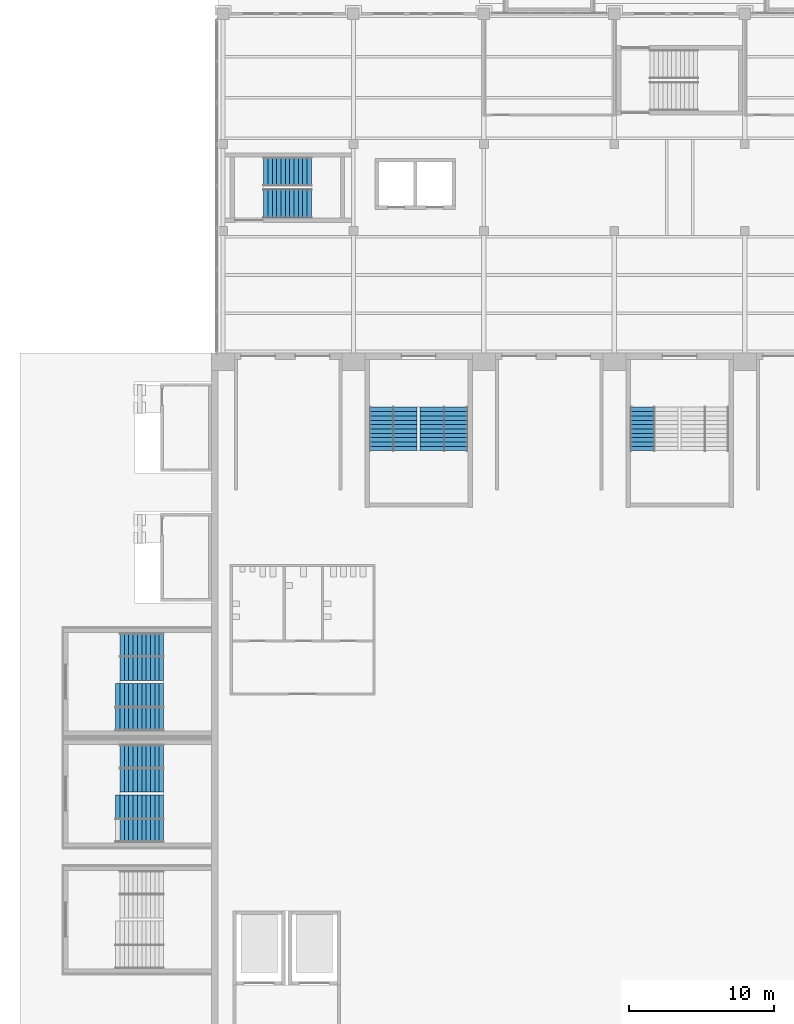
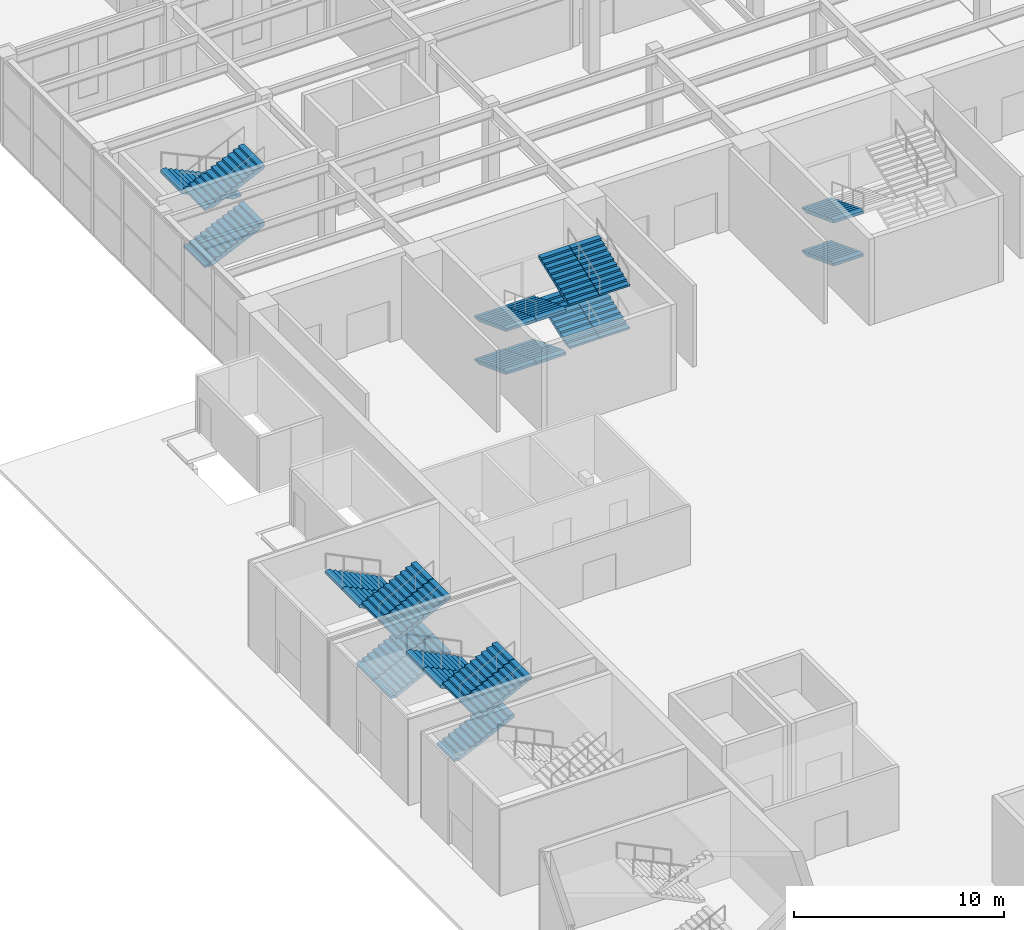
# One storey, part 56 of 77: 24 stair flights, 8 elements without a shape of their own.
"""IFC4 building model written with IfcOpenShell, lengths in metres."""

from ifc_helpers import new_model, si_unit, direction, frame, origin, place, context, subcontext, project, spatial, polyline, outline, extrude, material, type_object, element, aggregate, save


model = new_model("IFC4")

# Units and contexts
model_context = context("Model", 3, precision=1e-05, world=origin(), true_north=direction((0.0, 1.0)))
body_context = subcontext(model_context, "Body", "Model", "MODEL_VIEW")
ifc_project = project(units=[si_unit("LENGTHUNIT", "METRE"), si_unit("AREAUNIT", "SQUARE_METRE"), si_unit("VOLUMEUNIT", "CUBIC_METRE"), si_unit("PLANEANGLEUNIT", "RADIAN"), si_unit("MASSUNIT", "GRAM", prefix="KILO")], contexts=[model_context])

# Site, building, storey
site_placement = place(None, origin())
site = spatial("IfcSite", under=ifc_project, at=site_placement, CompositionType="ELEMENT")
building_placement = place(site_placement, origin())
building = spatial("IfcBuilding", under=site, at=building_placement, Name="Aravalli Gate Trade Fair Centre", CompositionType="ELEMENT")
storey_placement = place(building_placement, origin())
storey = spatial("IfcBuildingStorey", under=building, at=storey_placement, Name="L00", CompositionType="ELEMENT", Elevation=0.0)

# Stair, stair flights
ifc_material_1 = material(Name="Concrete M30", Category="concrete")
stair_type_1 = type_object("IfcStairType", Name="Concourse stair, 2000 wide", PredefinedType="HALF_TURN_STAIR", material=ifc_material_1)
stair_1_placement = place(storey_placement, origin())
stair_1 = element("IfcStair", 1, at=stair_1_placement, inside=storey, type_object=stair_type_1, Name="Stair WS L00", PredefinedType="HALF_TURN_STAIR")
stair_flight_type_1 = type_object("IfcStairFlightType", Name="Concourse stair flight 2000", PredefinedType="STRAIGHT", material=ifc_material_1)
stair_flight_1_placement = place(storey_placement, frame((8.800048828125, 119.89990234375, 0.0), z_axis=(0.0, 0.0, 1.0), x_axis=(1.0, 0.0, 0.0)))
stair_flight_1 = element("IfcStairFlight", 2, at=stair_flight_1_placement, type_object=stair_flight_type_1, Name="STWS-L00 flight 1", NumberOfRisers=12, NumberOfTreads=11, PredefinedType="STRAIGHT", RiserHeight=0.138888889, TreadLength=0.3, context=body_context, shape_type="SweptSolid", body=[
    extrude(outline(polyline([(0.0, 0.0), (0.0, 0.138916015625), (0.300048828125, 0.138916015625), (0.300048828125, 0.27783203125), (0.60009765625, 0.27783203125), (0.60009765625, 0.416748046875), (0.89990234375, 0.416748046875), (0.89990234375, 0.5556640625), (1.199951171875, 0.5556640625), (1.199951171875, 0.6943359375), (1.5, 0.6943359375), (1.5, 0.833251953125), (1.800048828125, 0.833251953125), (1.800048828125, 0.97216796875), (2.10009765625, 0.97216796875), (2.10009765625, 1.111083984375), (2.39990234375, 1.111083984375), (2.39990234375, 1.25), (2.699951171875, 1.25), (2.699951171875, 1.388916015625), (3.0, 1.388916015625), (3.0, 1.52783203125), (3.300048828125, 1.52783203125), (3.300048828125, 1.666748046875), (3.300048828125, 1.307373046875), (0.475830078125, 0.0), (0.0, 0.0)])), frame((0.0, 1.0, 0.0), z_axis=(0.0, -1.0, 0.0), x_axis=(1.0, 0.0, 0.0)), (0.0, 0.0, 1.0), 2.0),
])
stair_flight_2_placement = place(storey_placement, frame((12.10009765625, 122.10009765625, 1.666748046875), z_axis=(0.0, 0.0, 1.0), x_axis=(-1.0, 0.0, 0.0)))
stair_flight_2 = element("IfcStairFlight", 3, at=stair_flight_2_placement, type_object=stair_flight_type_1, Name="STWS-L00 flight 2", NumberOfRisers=12, NumberOfTreads=11, PredefinedType="STRAIGHT", RiserHeight=0.138888889, TreadLength=0.3, context=body_context, shape_type="SweptSolid", body=[
    extrude(outline(polyline([(0.0, 0.0), (0.0, 0.138916015625), (0.300048828125, 0.138916015625), (0.300048828125, 0.27783203125), (0.60009765625, 0.27783203125), (0.60009765625, 0.416748046875), (0.89990234375, 0.416748046875), (0.89990234375, 0.5556640625), (1.199951171875, 0.5556640625), (1.199951171875, 0.6943359375), (1.5, 0.6943359375), (1.5, 0.833251953125), (1.800048828125, 0.833251953125), (1.800048828125, 0.97216796875), (2.10009765625, 0.97216796875), (2.10009765625, 1.111083984375), (2.39990234375, 1.111083984375), (2.39990234375, 1.25), (2.699951171875, 1.25), (2.699951171875, 1.388916015625), (3.0, 1.388916015625), (3.0, 1.52783203125), (3.300048828125, 1.52783203125), (3.300048828125, 1.666748046875), (3.300048828125, 1.307373046875), (0.475830078125, 0.0), (0.0, 0.0)])), frame((0.0, 1.0, 0.0), z_axis=(0.0, -1.0, 0.0), x_axis=(1.0, 0.0, 0.0)), (0.0, 0.0, 1.0), 2.0),
])
stair_flight_3_placement = place(storey_placement, frame((8.800048828125, 119.89990234375, 3.333251953125), z_axis=(0.0, 0.0, 1.0), x_axis=(1.0, 0.0, 0.0)))
stair_flight_3 = element("IfcStairFlight", 4, at=stair_flight_3_placement, type_object=stair_flight_type_1, Name="STWS-L00 flight 3", NumberOfRisers=12, NumberOfTreads=11, PredefinedType="STRAIGHT", RiserHeight=0.138888889, TreadLength=0.3, context=body_context, shape_type="SweptSolid", body=[
    extrude(outline(polyline([(0.0, 0.0), (0.0, 0.138916015625), (0.300048828125, 0.138916015625), (0.300048828125, 0.27783203125), (0.60009765625, 0.27783203125), (0.60009765625, 0.416748046875), (0.89990234375, 0.416748046875), (0.89990234375, 0.5556640625), (1.199951171875, 0.5556640625), (1.199951171875, 0.6943359375), (1.5, 0.6943359375), (1.5, 0.833251953125), (1.800048828125, 0.833251953125), (1.800048828125, 0.97216796875), (2.10009765625, 0.97216796875), (2.10009765625, 1.111083984375), (2.39990234375, 1.111083984375), (2.39990234375, 1.25), (2.699951171875, 1.25), (2.699951171875, 1.388916015625), (3.0, 1.388916015625), (3.0, 1.52783203125), (3.300048828125, 1.52783203125), (3.300048828125, 1.666748046875), (3.300048828125, 1.307373046875), (0.475830078125, 0.0), (0.0, 0.0)])), frame((0.0, 1.0, 0.0), z_axis=(0.0, -1.0, 0.0), x_axis=(1.0, 0.0, 0.0)), (0.0, 0.0, 1.0), 2.0),
])
aggregate(stair_1, [stair_flight_1, stair_flight_2, stair_flight_3])

ifc_material_2 = material(Name="Concrete M40", Category="concrete")
stair_type_2 = type_object("IfcStairType", Name="Hall exit stair, three flights", PredefinedType="HALF_TURN_STAIR", material=ifc_material_2)
stair_2_placement = place(storey_placement, origin())
stair_2 = element("IfcStair", 5, at=stair_2_placement, inside=storey, type_object=stair_type_2, Name="Exit stair ST-W2 lane A L00", PredefinedType="HALF_TURN_STAIR")
stair_flight_type_2 = type_object("IfcStairFlightType", Name="Hall exit stair flight", PredefinedType="STRAIGHT", material=ifc_material_2)
stair_flight_4_placement = place(storey_placement, frame((1.89990234375, 80.1201171875, 1.7646484375), z_axis=(0.0, 0.0, 1.0), x_axis=(-1.0, 0.0, 0.0)))
stair_flight_4 = element("IfcStairFlight", 6, at=stair_flight_4_placement, type_object=stair_flight_type_2, Name="ST-W2A flight 2", NumberOfRisers=11, NumberOfTreads=10, PredefinedType="STRAIGHT", RiserHeight=0.147058824, TreadLength=0.3, context=body_context, shape_type="SweptSolid", body=[
    extrude(outline(polyline([(0.0, 0.0), (0.0, 0.14697265625), (0.300048828125, 0.14697265625), (0.300048828125, 0.294189453125), (0.60009765625, 0.294189453125), (0.60009765625, 0.441162109375), (0.89990234375, 0.441162109375), (0.89990234375, 0.588134765625), (1.199951171875, 0.588134765625), (1.199951171875, 0.7353515625), (1.5, 0.7353515625), (1.5, 0.88232421875), (1.800048828125, 0.88232421875), (1.800048828125, 1.029296875), (2.10009765625, 1.029296875), (2.10009765625, 1.176513671875), (2.39990234375, 1.176513671875), (2.39990234375, 1.323486328125), (2.699951171875, 1.323486328125), (2.699951171875, 1.470703125), (3.0, 1.470703125), (3.0, 1.61767578125), (3.0, 1.3037109375), (0.340576171875, 0.0), (0.0, 0.0)])), frame((0.0, 0.81982421875, 0.0), z_axis=(0.0, -1.0, 0.0), x_axis=(1.0, 0.0, 0.0)), (0.0, 0.0, 1.0), 1.639892578125),
])
stair_flight_5_placement = place(storey_placement, frame((-1.10009765625, 76.6201171875, 3.38232421875), z_axis=(0.0, 0.0, 1.0), x_axis=(1.0, 0.0, 0.0)))
stair_flight_5 = element("IfcStairFlight", 7, at=stair_flight_5_placement, type_object=stair_flight_type_2, Name="ST-W2A flight 3", NumberOfRisers=11, NumberOfTreads=10, PredefinedType="STRAIGHT", RiserHeight=0.147058824, TreadLength=0.3, context=body_context, shape_type="SweptSolid", body=[
    extrude(outline(polyline([(0.0, 0.0), (0.0, 0.14697265625), (0.300048828125, 0.14697265625), (0.300048828125, 0.294189453125), (0.60009765625, 0.294189453125), (0.60009765625, 0.441162109375), (0.89990234375, 0.441162109375), (0.89990234375, 0.588134765625), (1.199951171875, 0.588134765625), (1.199951171875, 0.7353515625), (1.5, 0.7353515625), (1.5, 0.88232421875), (1.800048828125, 0.88232421875), (1.800048828125, 1.029296875), (2.10009765625, 1.029296875), (2.10009765625, 1.176513671875), (2.39990234375, 1.176513671875), (2.39990234375, 1.323486328125), (2.699951171875, 1.323486328125), (2.699951171875, 1.470703125), (3.0, 1.470703125), (3.0, 1.61767578125), (3.0, 1.3037109375), (0.340576171875, 0.0), (0.0, 0.0)])), frame((0.0, 0.81982421875, 0.0), z_axis=(0.0, -1.0, 0.0), x_axis=(1.0, 0.0, 0.0)), (0.0, 0.0, 1.0), 1.639892578125),
])
aggregate(stair_2, [stair_flight_4, stair_flight_5])

stair_3_placement = place(storey_placement, origin())
stair_3 = element("IfcStair", 8, at=stair_3_placement, inside=storey, type_object=stair_type_2, Name="Exit stair ST-W2 lane B L00", PredefinedType="HALF_TURN_STAIR")
stair_flight_6_placement = place(storey_placement, frame((-1.39990234375, 78.280029296875, 0.0), z_axis=(0.0, 0.0, 1.0), x_axis=(1.0, 0.0, 0.0)))
stair_flight_6 = element("IfcStairFlight", 9, at=stair_flight_6_placement, type_object=stair_flight_type_2, Name="ST-W2B flight 1", NumberOfRisers=12, NumberOfTreads=11, PredefinedType="STRAIGHT", RiserHeight=0.147058824, TreadLength=0.3, context=body_context, shape_type="SweptSolid", body=[
    extrude(outline(polyline([(0.0, 0.0), (0.0, 0.14697265625), (0.300048828125, 0.14697265625), (0.300048828125, 0.294189453125), (0.60009765625, 0.294189453125), (0.60009765625, 0.441162109375), (0.89990234375, 0.441162109375), (0.89990234375, 0.588134765625), (1.199951171875, 0.588134765625), (1.199951171875, 0.7353515625), (1.5, 0.7353515625), (1.5, 0.88232421875), (1.800048828125, 0.88232421875), (1.800048828125, 1.029296875), (2.10009765625, 1.029296875), (2.10009765625, 1.176513671875), (2.39990234375, 1.176513671875), (2.39990234375, 1.323486328125), (2.699951171875, 1.323486328125), (2.699951171875, 1.470703125), (3.0, 1.470703125), (3.0, 1.61767578125), (3.300048828125, 1.61767578125), (3.300048828125, 1.7646484375), (3.300048828125, 1.45068359375), (0.340576171875, 0.0), (0.0, 0.0)])), frame((0.0, 0.81982421875, 0.0), z_axis=(0.0, -1.0, 0.0), x_axis=(1.0, 0.0, 0.0)), (0.0, 0.0, 1.0), 1.639892578125),
])
stair_flight_7_placement = place(storey_placement, frame((1.89990234375, 81.780029296875, 1.7646484375), z_axis=(0.0, 0.0, 1.0), x_axis=(-1.0, 0.0, 0.0)))
stair_flight_7 = element("IfcStairFlight", 10, at=stair_flight_7_placement, type_object=stair_flight_type_2, Name="ST-W2B flight 2", NumberOfRisers=11, NumberOfTreads=10, PredefinedType="STRAIGHT", RiserHeight=0.147058824, TreadLength=0.3, context=body_context, shape_type="SweptSolid", body=[
    extrude(outline(polyline([(0.0, 0.0), (0.0, 0.14697265625), (0.300048828125, 0.14697265625), (0.300048828125, 0.294189453125), (0.60009765625, 0.294189453125), (0.60009765625, 0.441162109375), (0.89990234375, 0.441162109375), (0.89990234375, 0.588134765625), (1.199951171875, 0.588134765625), (1.199951171875, 0.7353515625), (1.5, 0.7353515625), (1.5, 0.88232421875), (1.800048828125, 0.88232421875), (1.800048828125, 1.029296875), (2.10009765625, 1.029296875), (2.10009765625, 1.176513671875), (2.39990234375, 1.176513671875), (2.39990234375, 1.323486328125), (2.699951171875, 1.323486328125), (2.699951171875, 1.470703125), (3.0, 1.470703125), (3.0, 1.61767578125), (3.0, 1.3037109375), (0.340576171875, 0.0), (0.0, 0.0)])), frame((0.0, 0.81982421875, 0.0), z_axis=(0.0, -1.0, 0.0), x_axis=(1.0, 0.0, 0.0)), (0.0, 0.0, 1.0), 1.639892578125),
])
stair_flight_8_placement = place(storey_placement, frame((-1.10009765625, 78.280029296875, 3.38232421875), z_axis=(0.0, 0.0, 1.0), x_axis=(1.0, 0.0, 0.0)))
stair_flight_8 = element("IfcStairFlight", 11, at=stair_flight_8_placement, type_object=stair_flight_type_2, Name="ST-W2B flight 3", NumberOfRisers=11, NumberOfTreads=10, PredefinedType="STRAIGHT", RiserHeight=0.147058824, TreadLength=0.3, context=body_context, shape_type="SweptSolid", body=[
    extrude(outline(polyline([(0.0, 0.0), (0.0, 0.14697265625), (0.300048828125, 0.14697265625), (0.300048828125, 0.294189453125), (0.60009765625, 0.294189453125), (0.60009765625, 0.441162109375), (0.89990234375, 0.441162109375), (0.89990234375, 0.588134765625), (1.199951171875, 0.588134765625), (1.199951171875, 0.7353515625), (1.5, 0.7353515625), (1.5, 0.88232421875), (1.800048828125, 0.88232421875), (1.800048828125, 1.029296875), (2.10009765625, 1.029296875), (2.10009765625, 1.176513671875), (2.39990234375, 1.176513671875), (2.39990234375, 1.323486328125), (2.699951171875, 1.323486328125), (2.699951171875, 1.470703125), (3.0, 1.470703125), (3.0, 1.61767578125), (3.0, 1.3037109375), (0.340576171875, 0.0), (0.0, 0.0)])), frame((0.0, 0.81982421875, 0.0), z_axis=(0.0, -1.0, 0.0), x_axis=(1.0, 0.0, 0.0)), (0.0, 0.0, 1.0), 1.639892578125),
])
aggregate(stair_3, [stair_flight_6, stair_flight_7, stair_flight_8])

stair_4_placement = place(storey_placement, origin())
stair_4 = element("IfcStair", 12, at=stair_4_placement, inside=storey, type_object=stair_type_2, Name="Exit stair ST-W5 lane A L00", PredefinedType="HALF_TURN_STAIR")
stair_flight_9_placement = place(storey_placement, frame((-1.39990234375, 84.320068359375, 0.0), z_axis=(0.0, 0.0, 1.0), x_axis=(1.0, 0.0, 0.0)))
stair_flight_9 = element("IfcStairFlight", 13, at=stair_flight_9_placement, type_object=stair_flight_type_2, Name="ST-W5A flight 1", NumberOfRisers=12, NumberOfTreads=11, PredefinedType="STRAIGHT", RiserHeight=0.147058824, TreadLength=0.3, context=body_context, shape_type="SweptSolid", body=[
    extrude(outline(polyline([(0.0, 0.0), (0.0, 0.14697265625), (0.300048828125, 0.14697265625), (0.300048828125, 0.294189453125), (0.60009765625, 0.294189453125), (0.60009765625, 0.441162109375), (0.89990234375, 0.441162109375), (0.89990234375, 0.588134765625), (1.199951171875, 0.588134765625), (1.199951171875, 0.7353515625), (1.5, 0.7353515625), (1.5, 0.88232421875), (1.800048828125, 0.88232421875), (1.800048828125, 1.029296875), (2.10009765625, 1.029296875), (2.10009765625, 1.176513671875), (2.39990234375, 1.176513671875), (2.39990234375, 1.323486328125), (2.699951171875, 1.323486328125), (2.699951171875, 1.470703125), (3.0, 1.470703125), (3.0, 1.61767578125), (3.300048828125, 1.61767578125), (3.300048828125, 1.7646484375), (3.300048828125, 1.45068359375), (0.340576171875, 0.0), (0.0, 0.0)])), frame((0.0, 0.81982421875, 0.0), z_axis=(0.0, -1.0, 0.0), x_axis=(1.0, 0.0, 0.0)), (0.0, 0.0, 1.0), 1.639892578125),
])
stair_flight_10_placement = place(storey_placement, frame((1.89990234375, 87.820068359375, 1.7646484375), z_axis=(0.0, 0.0, 1.0), x_axis=(-1.0, 0.0, 0.0)))
stair_flight_10 = element("IfcStairFlight", 14, at=stair_flight_10_placement, type_object=stair_flight_type_2, Name="ST-W5A flight 2", NumberOfRisers=11, NumberOfTreads=10, PredefinedType="STRAIGHT", RiserHeight=0.147058824, TreadLength=0.3, context=body_context, shape_type="SweptSolid", body=[
    extrude(outline(polyline([(0.0, 0.0), (0.0, 0.14697265625), (0.300048828125, 0.14697265625), (0.300048828125, 0.294189453125), (0.60009765625, 0.294189453125), (0.60009765625, 0.441162109375), (0.89990234375, 0.441162109375), (0.89990234375, 0.588134765625), (1.199951171875, 0.588134765625), (1.199951171875, 0.7353515625), (1.5, 0.7353515625), (1.5, 0.88232421875), (1.800048828125, 0.88232421875), (1.800048828125, 1.029296875), (2.10009765625, 1.029296875), (2.10009765625, 1.176513671875), (2.39990234375, 1.176513671875), (2.39990234375, 1.323486328125), (2.699951171875, 1.323486328125), (2.699951171875, 1.470703125), (3.0, 1.470703125), (3.0, 1.61767578125), (3.0, 1.3037109375), (0.340576171875, 0.0), (0.0, 0.0)])), frame((0.0, 0.81982421875, 0.0), z_axis=(0.0, -1.0, 0.0), x_axis=(1.0, 0.0, 0.0)), (0.0, 0.0, 1.0), 1.639892578125),
])
stair_flight_11_placement = place(storey_placement, frame((-1.10009765625, 84.320068359375, 3.38232421875), z_axis=(0.0, 0.0, 1.0), x_axis=(1.0, 0.0, 0.0)))
stair_flight_11 = element("IfcStairFlight", 15, at=stair_flight_11_placement, type_object=stair_flight_type_2, Name="ST-W5A flight 3", NumberOfRisers=11, NumberOfTreads=10, PredefinedType="STRAIGHT", RiserHeight=0.147058824, TreadLength=0.3, context=body_context, shape_type="SweptSolid", body=[
    extrude(outline(polyline([(0.0, 0.0), (0.0, 0.14697265625), (0.300048828125, 0.14697265625), (0.300048828125, 0.294189453125), (0.60009765625, 0.294189453125), (0.60009765625, 0.441162109375), (0.89990234375, 0.441162109375), (0.89990234375, 0.588134765625), (1.199951171875, 0.588134765625), (1.199951171875, 0.7353515625), (1.5, 0.7353515625), (1.5, 0.88232421875), (1.800048828125, 0.88232421875), (1.800048828125, 1.029296875), (2.10009765625, 1.029296875), (2.10009765625, 1.176513671875), (2.39990234375, 1.176513671875), (2.39990234375, 1.323486328125), (2.699951171875, 1.323486328125), (2.699951171875, 1.470703125), (3.0, 1.470703125), (3.0, 1.61767578125), (3.0, 1.3037109375), (0.340576171875, 0.0), (0.0, 0.0)])), frame((0.0, 0.81982421875, 0.0), z_axis=(0.0, -1.0, 0.0), x_axis=(1.0, 0.0, 0.0)), (0.0, 0.0, 1.0), 1.639892578125),
])
aggregate(stair_4, [stair_flight_9, stair_flight_10, stair_flight_11])

stair_5_placement = place(storey_placement, origin())
stair_5 = element("IfcStair", 16, at=stair_5_placement, inside=storey, type_object=stair_type_2, Name="Exit stair ST-W5 lane B L00", PredefinedType="HALF_TURN_STAIR")
stair_flight_12_placement = place(storey_placement, frame((-1.39990234375, 85.97998046875, 0.0), z_axis=(0.0, 0.0, 1.0), x_axis=(1.0, 0.0, 0.0)))
stair_flight_12 = element("IfcStairFlight", 17, at=stair_flight_12_placement, type_object=stair_flight_type_2, Name="ST-W5B flight 1", NumberOfRisers=12, NumberOfTreads=11, PredefinedType="STRAIGHT", RiserHeight=0.147058824, TreadLength=0.3, context=body_context, shape_type="SweptSolid", body=[
    extrude(outline(polyline([(0.0, 0.0), (0.0, 0.14697265625), (0.300048828125, 0.14697265625), (0.300048828125, 0.294189453125), (0.60009765625, 0.294189453125), (0.60009765625, 0.441162109375), (0.89990234375, 0.441162109375), (0.89990234375, 0.588134765625), (1.199951171875, 0.588134765625), (1.199951171875, 0.7353515625), (1.5, 0.7353515625), (1.5, 0.88232421875), (1.800048828125, 0.88232421875), (1.800048828125, 1.029296875), (2.10009765625, 1.029296875), (2.10009765625, 1.176513671875), (2.39990234375, 1.176513671875), (2.39990234375, 1.323486328125), (2.699951171875, 1.323486328125), (2.699951171875, 1.470703125), (3.0, 1.470703125), (3.0, 1.61767578125), (3.300048828125, 1.61767578125), (3.300048828125, 1.7646484375), (3.300048828125, 1.45068359375), (0.340576171875, 0.0), (0.0, 0.0)])), frame((0.0, 0.81982421875, 0.0), z_axis=(0.0, -1.0, 0.0), x_axis=(1.0, 0.0, 0.0)), (0.0, 0.0, 1.0), 1.639892578125),
])
stair_flight_13_placement = place(storey_placement, frame((1.89990234375, 89.47998046875, 1.7646484375), z_axis=(0.0, 0.0, 1.0), x_axis=(-1.0, 0.0, 0.0)))
stair_flight_13 = element("IfcStairFlight", 18, at=stair_flight_13_placement, type_object=stair_flight_type_2, Name="ST-W5B flight 2", NumberOfRisers=11, NumberOfTreads=10, PredefinedType="STRAIGHT", RiserHeight=0.147058824, TreadLength=0.3, context=body_context, shape_type="SweptSolid", body=[
    extrude(outline(polyline([(0.0, 0.0), (0.0, 0.14697265625), (0.300048828125, 0.14697265625), (0.300048828125, 0.294189453125), (0.60009765625, 0.294189453125), (0.60009765625, 0.441162109375), (0.89990234375, 0.441162109375), (0.89990234375, 0.588134765625), (1.199951171875, 0.588134765625), (1.199951171875, 0.7353515625), (1.5, 0.7353515625), (1.5, 0.88232421875), (1.800048828125, 0.88232421875), (1.800048828125, 1.029296875), (2.10009765625, 1.029296875), (2.10009765625, 1.176513671875), (2.39990234375, 1.176513671875), (2.39990234375, 1.323486328125), (2.699951171875, 1.323486328125), (2.699951171875, 1.470703125), (3.0, 1.470703125), (3.0, 1.61767578125), (3.0, 1.3037109375), (0.340576171875, 0.0), (0.0, 0.0)])), frame((0.0, 0.81982421875, 0.0), z_axis=(0.0, -1.0, 0.0), x_axis=(1.0, 0.0, 0.0)), (0.0, 0.0, 1.0), 1.639892578125),
])
stair_flight_14_placement = place(storey_placement, frame((-1.10009765625, 85.97998046875, 3.38232421875), z_axis=(0.0, 0.0, 1.0), x_axis=(1.0, 0.0, 0.0)))
stair_flight_14 = element("IfcStairFlight", 19, at=stair_flight_14_placement, type_object=stair_flight_type_2, Name="ST-W5B flight 3", NumberOfRisers=11, NumberOfTreads=10, PredefinedType="STRAIGHT", RiserHeight=0.147058824, TreadLength=0.3, context=body_context, shape_type="SweptSolid", body=[
    extrude(outline(polyline([(0.0, 0.0), (0.0, 0.14697265625), (0.300048828125, 0.14697265625), (0.300048828125, 0.294189453125), (0.60009765625, 0.294189453125), (0.60009765625, 0.441162109375), (0.89990234375, 0.441162109375), (0.89990234375, 0.588134765625), (1.199951171875, 0.588134765625), (1.199951171875, 0.7353515625), (1.5, 0.7353515625), (1.5, 0.88232421875), (1.800048828125, 0.88232421875), (1.800048828125, 1.029296875), (2.10009765625, 1.029296875), (2.10009765625, 1.176513671875), (2.39990234375, 1.176513671875), (2.39990234375, 1.323486328125), (2.699951171875, 1.323486328125), (2.699951171875, 1.470703125), (3.0, 1.470703125), (3.0, 1.61767578125), (3.0, 1.3037109375), (0.340576171875, 0.0), (0.0, 0.0)])), frame((0.0, 0.81982421875, 0.0), z_axis=(0.0, -1.0, 0.0), x_axis=(1.0, 0.0, 0.0)), (0.0, 0.0, 1.0), 1.639892578125),
])
aggregate(stair_5, [stair_flight_12, stair_flight_13, stair_flight_14])

stair_type_3 = type_object("IfcStairType", Name="Hall exit stair, four flights", PredefinedType="HALF_TURN_STAIR", material=ifc_material_2)
stair_6_placement = place(storey_placement, origin())
stair_6 = element("IfcStair", 20, at=stair_6_placement, inside=storey, type_object=stair_type_3, Name="Exit stair ST-N02 lane A L00", PredefinedType="HALF_TURN_STAIR")
stair_flight_type_3 = type_object("IfcStairFlightType", Name="Hall exit stair flight, four flights", PredefinedType="STRAIGHT", material=ifc_material_2)
stair_flight_15_placement = place(storey_placement, frame((16.919921875, 105.85009765625, 0.0), z_axis=(0.0, 0.0, 1.0), x_axis=(0.0, -1.0, 0.0)))
stair_flight_15 = element("IfcStairFlight", 21, at=stair_flight_15_placement, type_object=stair_flight_type_3, Name="ST-N02A flight 1", NumberOfRisers=11, NumberOfTreads=10, PredefinedType="STRAIGHT", RiserHeight=0.113636364, TreadLength=0.3, context=body_context, shape_type="SweptSolid", body=[
    extrude(outline(polyline([(0.0, 0.0), (0.0, 0.113525390625), (0.300048828125, 0.113525390625), (0.300048828125, 0.227294921875), (0.60009765625, 0.227294921875), (0.60009765625, 0.3408203125), (0.89990234375, 0.3408203125), (0.89990234375, 0.45458984375), (1.199951171875, 0.45458984375), (1.199951171875, 0.568115234375), (1.5, 0.568115234375), (1.5, 0.681884765625), (1.800048828125, 0.681884765625), (1.800048828125, 0.79541015625), (2.10009765625, 0.79541015625), (2.10009765625, 0.9091796875), (2.39990234375, 0.9091796875), (2.39990234375, 1.022705078125), (2.699951171875, 1.022705078125), (2.699951171875, 1.136474609375), (3.0, 1.136474609375), (3.0, 1.25), (3.0, 0.97607421875), (0.423095703125, 0.0), (0.0, 0.0)])), frame((0.0, 0.81982421875, 0.0), z_axis=(0.0, -1.0, 0.0), x_axis=(1.0, 0.0, 0.0)), (0.0, 0.0, 1.0), 1.639892578125),
])
stair_flight_16_placement = place(storey_placement, frame((20.419921875, 102.85009765625, 1.25), z_axis=(0.0, 0.0, 1.0), x_axis=(0.0, 1.0, 0.0)))
stair_flight_16 = element("IfcStairFlight", 22, at=stair_flight_16_placement, type_object=stair_flight_type_3, Name="ST-N02A flight 2", NumberOfRisers=11, NumberOfTreads=10, PredefinedType="STRAIGHT", RiserHeight=0.113636364, TreadLength=0.3, context=body_context, shape_type="SweptSolid", body=[
    extrude(outline(polyline([(0.0, 0.0), (0.0, 0.113525390625), (0.300048828125, 0.113525390625), (0.300048828125, 0.227294921875), (0.60009765625, 0.227294921875), (0.60009765625, 0.3408203125), (0.89990234375, 0.3408203125), (0.89990234375, 0.45458984375), (1.199951171875, 0.45458984375), (1.199951171875, 0.568115234375), (1.5, 0.568115234375), (1.5, 0.681884765625), (1.800048828125, 0.681884765625), (1.800048828125, 0.79541015625), (2.10009765625, 0.79541015625), (2.10009765625, 0.9091796875), (2.39990234375, 0.9091796875), (2.39990234375, 1.022705078125), (2.699951171875, 1.022705078125), (2.699951171875, 1.136474609375), (3.0, 1.136474609375), (3.0, 1.25), (3.0, 0.97607421875), (0.423095703125, 0.0), (0.0, 0.0)])), frame((0.0, 0.81982421875, 0.0), z_axis=(0.0, -1.0, 0.0), x_axis=(1.0, 0.0, 0.0)), (0.0, 0.0, 1.0), 1.639892578125),
])
stair_flight_17_placement = place(storey_placement, frame((16.919921875, 105.85009765625, 2.5), z_axis=(0.0, 0.0, 1.0), x_axis=(0.0, -1.0, 0.0)))
stair_flight_17 = element("IfcStairFlight", 23, at=stair_flight_17_placement, type_object=stair_flight_type_3, Name="ST-N02A flight 3", NumberOfRisers=11, NumberOfTreads=10, PredefinedType="STRAIGHT", RiserHeight=0.113636364, TreadLength=0.3, context=body_context, shape_type="SweptSolid", body=[
    extrude(outline(polyline([(0.0, 0.0), (0.0, 0.113525390625), (0.300048828125, 0.113525390625), (0.300048828125, 0.227294921875), (0.60009765625, 0.227294921875), (0.60009765625, 0.3408203125), (0.89990234375, 0.3408203125), (0.89990234375, 0.45458984375), (1.199951171875, 0.45458984375), (1.199951171875, 0.568115234375), (1.5, 0.568115234375), (1.5, 0.681884765625), (1.800048828125, 0.681884765625), (1.800048828125, 0.79541015625), (2.10009765625, 0.79541015625), (2.10009765625, 0.9091796875), (2.39990234375, 0.9091796875), (2.39990234375, 1.022705078125), (2.699951171875, 1.022705078125), (2.699951171875, 1.136474609375), (3.0, 1.136474609375), (3.0, 1.25), (3.0, 0.97607421875), (0.423095703125, 0.0), (0.0, 0.0)])), frame((0.0, 0.81982421875, 0.0), z_axis=(0.0, -1.0, 0.0), x_axis=(1.0, 0.0, 0.0)), (0.0, 0.0, 1.0), 1.639892578125),
])
stair_flight_18_placement = place(storey_placement, frame((20.419921875, 102.85009765625, 3.75), z_axis=(0.0, 0.0, 1.0), x_axis=(0.0, 1.0, 0.0)))
stair_flight_18 = element("IfcStairFlight", 24, at=stair_flight_18_placement, type_object=stair_flight_type_3, Name="ST-N02A flight 4", NumberOfRisers=11, NumberOfTreads=10, PredefinedType="STRAIGHT", RiserHeight=0.113636364, TreadLength=0.3, context=body_context, shape_type="SweptSolid", body=[
    extrude(outline(polyline([(0.0, 0.0), (0.0, 0.113525390625), (0.300048828125, 0.113525390625), (0.300048828125, 0.227294921875), (0.60009765625, 0.227294921875), (0.60009765625, 0.3408203125), (0.89990234375, 0.3408203125), (0.89990234375, 0.45458984375), (1.199951171875, 0.45458984375), (1.199951171875, 0.568115234375), (1.5, 0.568115234375), (1.5, 0.681884765625), (1.800048828125, 0.681884765625), (1.800048828125, 0.79541015625), (2.10009765625, 0.79541015625), (2.10009765625, 0.9091796875), (2.39990234375, 0.9091796875), (2.39990234375, 1.022705078125), (2.699951171875, 1.022705078125), (2.699951171875, 1.136474609375), (3.0, 1.136474609375), (3.0, 1.25), (3.0, 0.97607421875), (0.423095703125, 0.0), (0.0, 0.0)])), frame((0.0, 0.81982421875, 0.0), z_axis=(0.0, -1.0, 0.0), x_axis=(1.0, 0.0, 0.0)), (0.0, 0.0, 1.0), 1.639892578125),
])
aggregate(stair_6, [stair_flight_15, stair_flight_16, stair_flight_17, stair_flight_18])

stair_7_placement = place(storey_placement, origin())
stair_7 = element("IfcStair", 25, at=stair_7_placement, inside=storey, type_object=stair_type_3, Name="Exit stair ST-N02 lane B L00", PredefinedType="HALF_TURN_STAIR")
stair_flight_19_placement = place(storey_placement, frame((18.580078125, 105.85009765625, 0.0), z_axis=(0.0, 0.0, 1.0), x_axis=(0.0, -1.0, 0.0)))
stair_flight_19 = element("IfcStairFlight", 26, at=stair_flight_19_placement, type_object=stair_flight_type_3, Name="ST-N02B flight 1", NumberOfRisers=11, NumberOfTreads=10, PredefinedType="STRAIGHT", RiserHeight=0.113636364, TreadLength=0.3, context=body_context, shape_type="SweptSolid", body=[
    extrude(outline(polyline([(0.0, 0.0), (0.0, 0.113525390625), (0.300048828125, 0.113525390625), (0.300048828125, 0.227294921875), (0.60009765625, 0.227294921875), (0.60009765625, 0.3408203125), (0.89990234375, 0.3408203125), (0.89990234375, 0.45458984375), (1.199951171875, 0.45458984375), (1.199951171875, 0.568115234375), (1.5, 0.568115234375), (1.5, 0.681884765625), (1.800048828125, 0.681884765625), (1.800048828125, 0.79541015625), (2.10009765625, 0.79541015625), (2.10009765625, 0.9091796875), (2.39990234375, 0.9091796875), (2.39990234375, 1.022705078125), (2.699951171875, 1.022705078125), (2.699951171875, 1.136474609375), (3.0, 1.136474609375), (3.0, 1.25), (3.0, 0.97607421875), (0.423095703125, 0.0), (0.0, 0.0)])), frame((0.0, 0.81982421875, 0.0), z_axis=(0.0, -1.0, 0.0), x_axis=(1.0, 0.0, 0.0)), (0.0, 0.0, 1.0), 1.639892578125),
])
stair_flight_20_placement = place(storey_placement, frame((22.080078125, 102.85009765625, 1.25), z_axis=(0.0, 0.0, 1.0), x_axis=(0.0, 1.0, 0.0)))
stair_flight_20 = element("IfcStairFlight", 27, at=stair_flight_20_placement, type_object=stair_flight_type_3, Name="ST-N02B flight 2", NumberOfRisers=11, NumberOfTreads=10, PredefinedType="STRAIGHT", RiserHeight=0.113636364, TreadLength=0.3, context=body_context, shape_type="SweptSolid", body=[
    extrude(outline(polyline([(0.0, 0.0), (0.0, 0.113525390625), (0.300048828125, 0.113525390625), (0.300048828125, 0.227294921875), (0.60009765625, 0.227294921875), (0.60009765625, 0.3408203125), (0.89990234375, 0.3408203125), (0.89990234375, 0.45458984375), (1.199951171875, 0.45458984375), (1.199951171875, 0.568115234375), (1.5, 0.568115234375), (1.5, 0.681884765625), (1.800048828125, 0.681884765625), (1.800048828125, 0.79541015625), (2.10009765625, 0.79541015625), (2.10009765625, 0.9091796875), (2.39990234375, 0.9091796875), (2.39990234375, 1.022705078125), (2.699951171875, 1.022705078125), (2.699951171875, 1.136474609375), (3.0, 1.136474609375), (3.0, 1.25), (3.0, 0.97607421875), (0.423095703125, 0.0), (0.0, 0.0)])), frame((0.0, 0.81982421875, 0.0), z_axis=(0.0, -1.0, 0.0), x_axis=(1.0, 0.0, 0.0)), (0.0, 0.0, 1.0), 1.639892578125),
])
stair_flight_21_placement = place(storey_placement, frame((18.580078125, 105.85009765625, 2.5), z_axis=(0.0, 0.0, 1.0), x_axis=(0.0, -1.0, 0.0)))
stair_flight_21 = element("IfcStairFlight", 28, at=stair_flight_21_placement, type_object=stair_flight_type_3, Name="ST-N02B flight 3", NumberOfRisers=11, NumberOfTreads=10, PredefinedType="STRAIGHT", RiserHeight=0.113636364, TreadLength=0.3, context=body_context, shape_type="SweptSolid", body=[
    extrude(outline(polyline([(0.0, 0.0), (0.0, 0.113525390625), (0.300048828125, 0.113525390625), (0.300048828125, 0.227294921875), (0.60009765625, 0.227294921875), (0.60009765625, 0.3408203125), (0.89990234375, 0.3408203125), (0.89990234375, 0.45458984375), (1.199951171875, 0.45458984375), (1.199951171875, 0.568115234375), (1.5, 0.568115234375), (1.5, 0.681884765625), (1.800048828125, 0.681884765625), (1.800048828125, 0.79541015625), (2.10009765625, 0.79541015625), (2.10009765625, 0.9091796875), (2.39990234375, 0.9091796875), (2.39990234375, 1.022705078125), (2.699951171875, 1.022705078125), (2.699951171875, 1.136474609375), (3.0, 1.136474609375), (3.0, 1.25), (3.0, 0.97607421875), (0.423095703125, 0.0), (0.0, 0.0)])), frame((0.0, 0.81982421875, 0.0), z_axis=(0.0, -1.0, 0.0), x_axis=(1.0, 0.0, 0.0)), (0.0, 0.0, 1.0), 1.639892578125),
])
stair_flight_22_placement = place(storey_placement, frame((22.080078125, 102.85009765625, 3.75), z_axis=(0.0, 0.0, 1.0), x_axis=(0.0, 1.0, 0.0)))
stair_flight_22 = element("IfcStairFlight", 29, at=stair_flight_22_placement, type_object=stair_flight_type_3, Name="ST-N02B flight 4", NumberOfRisers=11, NumberOfTreads=10, PredefinedType="STRAIGHT", RiserHeight=0.113636364, TreadLength=0.3, context=body_context, shape_type="SweptSolid", body=[
    extrude(outline(polyline([(0.0, 0.0), (0.0, 0.113525390625), (0.300048828125, 0.113525390625), (0.300048828125, 0.227294921875), (0.60009765625, 0.227294921875), (0.60009765625, 0.3408203125), (0.89990234375, 0.3408203125), (0.89990234375, 0.45458984375), (1.199951171875, 0.45458984375), (1.199951171875, 0.568115234375), (1.5, 0.568115234375), (1.5, 0.681884765625), (1.800048828125, 0.681884765625), (1.800048828125, 0.79541015625), (2.10009765625, 0.79541015625), (2.10009765625, 0.9091796875), (2.39990234375, 0.9091796875), (2.39990234375, 1.022705078125), (2.699951171875, 1.022705078125), (2.699951171875, 1.136474609375), (3.0, 1.136474609375), (3.0, 1.25), (3.0, 0.97607421875), (0.423095703125, 0.0), (0.0, 0.0)])), frame((0.0, 0.81982421875, 0.0), z_axis=(0.0, -1.0, 0.0), x_axis=(1.0, 0.0, 0.0)), (0.0, 0.0, 1.0), 1.639892578125),
])
aggregate(stair_7, [stair_flight_19, stair_flight_20, stair_flight_21, stair_flight_22])

stair_8_placement = place(storey_placement, origin())
stair_8 = element("IfcStair", 30, at=stair_8_placement, inside=storey, type_object=stair_type_3, Name="Exit stair ST-N04 lane A L00", PredefinedType="HALF_TURN_STAIR")
stair_flight_23_placement = place(storey_placement, frame((34.919921875, 105.85009765625, 0.0), z_axis=(0.0, 0.0, 1.0), x_axis=(0.0, -1.0, 0.0)))
stair_flight_23 = element("IfcStairFlight", 31, at=stair_flight_23_placement, type_object=stair_flight_type_3, Name="ST-N04A flight 1", NumberOfRisers=11, NumberOfTreads=10, PredefinedType="STRAIGHT", RiserHeight=0.113636364, TreadLength=0.3, context=body_context, shape_type="SweptSolid", body=[
    extrude(outline(polyline([(0.0, 0.0), (0.0, 0.113525390625), (0.300048828125, 0.113525390625), (0.300048828125, 0.227294921875), (0.60009765625, 0.227294921875), (0.60009765625, 0.3408203125), (0.89990234375, 0.3408203125), (0.89990234375, 0.45458984375), (1.199951171875, 0.45458984375), (1.199951171875, 0.568115234375), (1.5, 0.568115234375), (1.5, 0.681884765625), (1.800048828125, 0.681884765625), (1.800048828125, 0.79541015625), (2.10009765625, 0.79541015625), (2.10009765625, 0.9091796875), (2.39990234375, 0.9091796875), (2.39990234375, 1.022705078125), (2.699951171875, 1.022705078125), (2.699951171875, 1.136474609375), (3.0, 1.136474609375), (3.0, 1.25), (3.0, 0.97607421875), (0.423095703125, 0.0), (0.0, 0.0)])), frame((0.0, 0.81982421875, 0.0), z_axis=(0.0, -1.0, 0.0), x_axis=(1.0, 0.0, 0.0)), (0.0, 0.0, 1.0), 1.639892578125),
])
stair_flight_24_placement = place(storey_placement, frame((34.919921875, 105.85009765625, 2.5), z_axis=(0.0, 0.0, 1.0), x_axis=(0.0, -1.0, 0.0)))
stair_flight_24 = element("IfcStairFlight", 32, at=stair_flight_24_placement, type_object=stair_flight_type_3, Name="ST-N04A flight 3", NumberOfRisers=11, NumberOfTreads=10, PredefinedType="STRAIGHT", RiserHeight=0.113636364, TreadLength=0.3, context=body_context, shape_type="SweptSolid", body=[
    extrude(outline(polyline([(0.0, 0.0), (0.0, 0.113525390625), (0.300048828125, 0.113525390625), (0.300048828125, 0.227294921875), (0.60009765625, 0.227294921875), (0.60009765625, 0.3408203125), (0.89990234375, 0.3408203125), (0.89990234375, 0.45458984375), (1.199951171875, 0.45458984375), (1.199951171875, 0.568115234375), (1.5, 0.568115234375), (1.5, 0.681884765625), (1.800048828125, 0.681884765625), (1.800048828125, 0.79541015625), (2.10009765625, 0.79541015625), (2.10009765625, 0.9091796875), (2.39990234375, 0.9091796875), (2.39990234375, 1.022705078125), (2.699951171875, 1.022705078125), (2.699951171875, 1.136474609375), (3.0, 1.136474609375), (3.0, 1.25), (3.0, 0.97607421875), (0.423095703125, 0.0), (0.0, 0.0)])), frame((0.0, 0.81982421875, 0.0), z_axis=(0.0, -1.0, 0.0), x_axis=(1.0, 0.0, 0.0)), (0.0, 0.0, 1.0), 1.639892578125),
])
aggregate(stair_8, [stair_flight_23, stair_flight_24])

save(model, "model.ifc")
